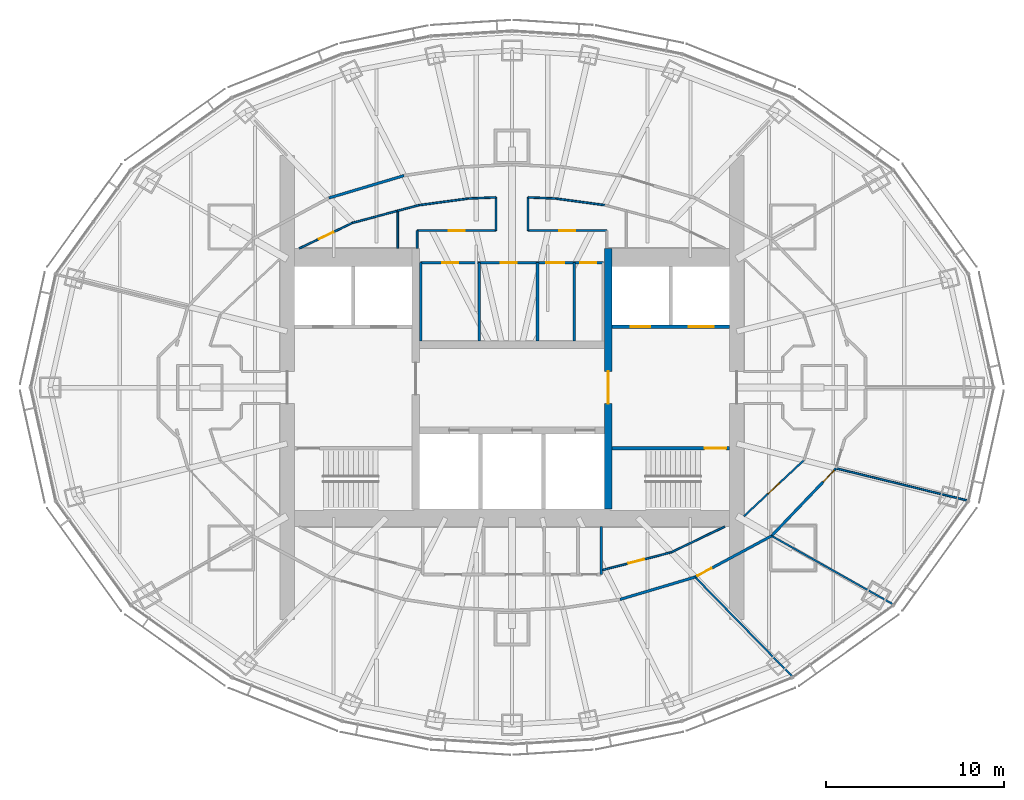
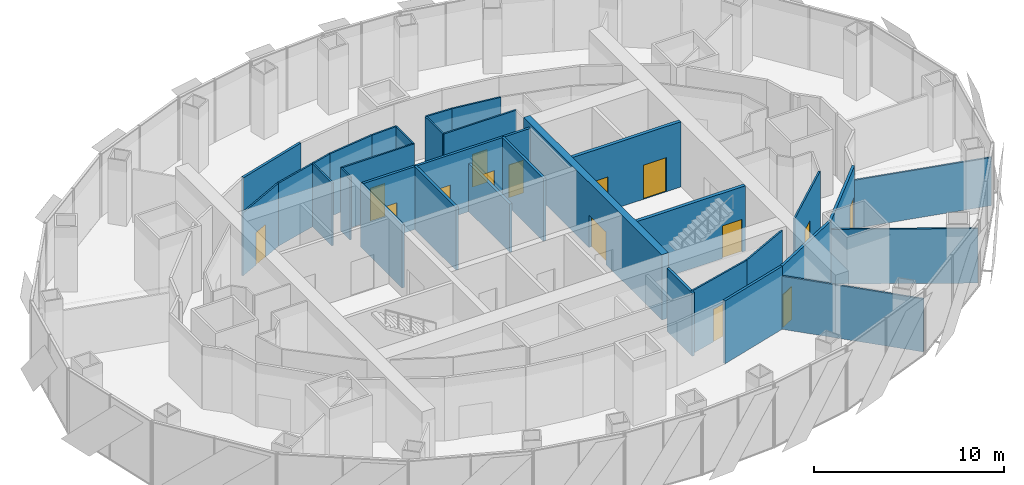
# One storey, part 13 of 17: 32 walls, 15 doors, 15 openings.
"""IFC4 building model written with IfcOpenShell, lengths in metres."""

from ifc_helpers import new_model, si_unit, direction, frame, frame_2d, origin, place, context, subcontext, project, spatial, rectangle, extrude, material, layer, layer_set, type_object, element, fill, save


model = new_model("IFC4")

# Units and contexts
model_context = context("Model", 3, precision=1e-05, world=origin(), true_north=direction((0.0, 1.0)))
body_context = subcontext(model_context, "Body", "Model", "MODEL_VIEW")
ifc_project = project(units=[si_unit("LENGTHUNIT", "METRE"), si_unit("AREAUNIT", "SQUARE_METRE"), si_unit("VOLUMEUNIT", "CUBIC_METRE"), si_unit("PLANEANGLEUNIT", "RADIAN"), si_unit("MASSUNIT", "GRAM", prefix="KILO")], contexts=[model_context])

# Site, building, storey
site_placement = place(None, origin())
site = spatial("IfcSite", under=ifc_project, at=site_placement, CompositionType="ELEMENT")
building_placement = place(site_placement, origin())
building = spatial("IfcBuilding", under=site, at=building_placement, Name="Lantaw Convention Tower", CompositionType="ELEMENT")
storey_placement = place(building_placement, frame((0.0, 0.0, 211.60009765625)))
storey = spatial("IfcBuildingStorey", under=building, at=storey_placement, Name="L49", CompositionType="ELEMENT", Elevation=211.60009765625)

# Wall, opening, door
ifc_material_1 = material(Name="Concrete C60/75", Category="concrete")
ifc_layer_1 = layer(ifc_material_1, 0.199951171875)
ifc_layer_set_1 = layer_set([ifc_layer_1], Name="Core wall 200")
wall_type_1 = type_object("IfcWallType", Name="Core wall 200", PredefinedType="SHEAR", material=ifc_layer_set_1)
wall_1_placement = place(storey_placement, frame((5.60009765625, -3.39990234375, 0.0), z_axis=(0.0, 0.0, 1.0), x_axis=(1.0, 0.0, 0.0)))
wall_1 = element("IfcWall", 1, at=wall_1_placement, inside=storey, type_object=wall_type_1, Name="Core wall ES", PredefinedType="SHEAR", context=body_context, shape_type="SweptSolid", body=[
    extrude(rectangle(XDim=6.599853515625, YDim=0.199951171875, at=frame_2d((3.2998046875, 0.0))), origin(), (0.0, 0.0, 1.0), 4.199951171875),
])
opening_1_placement = place(wall_1_placement, frame((5.199951171875, 0.0, 0.0)))
opening_1 = element("IfcOpeningElement", 2, at=opening_1_placement, cuts=wall_1, Name="Opening L49.03", PredefinedType="OPENING", context=body_context, shape_type="SweptSolid", body=[
    extrude(rectangle(XDim=1.199951171875, YDim=2.10009765625, at=frame_2d((0.60009765625, 1.050048828125))), frame((0.0, 0.10986328125, 0.0), z_axis=(0.0, -1.0, 0.0), x_axis=(1.0, 0.0, 0.0)), (0.0, 0.0, 1.0), 0.219970703125),
])
ifc_material_2 = material(Name="Steel, fire rated", Category="steel")
door_type_1 = type_object("IfcDoorType", Name="Stair door FD90", OperationType="SINGLE_SWING_RIGHT", PredefinedType="DOOR", material=ifc_material_2)
door_1_placement = place(opening_1_placement, origin())
door_1 = element("IfcDoor", 3, at=door_1_placement, inside=storey, type_object=door_type_1, Name="Exit stair door", OperationType="SINGLE_SWING_RIGHT", OverallHeight=2.10009765625, OverallWidth=1.199951171875, PredefinedType="DOOR", context=body_context, shape_type="SweptSolid", body=[
    extrude(rectangle(XDim=1.199951171875, YDim=2.10009765625, at=frame_2d((0.60009765625, 1.050048828125))), frame((0.0, 0.02490234375, 0.0), z_axis=(0.0, -1.0, 0.0), x_axis=(1.0, 0.0, 0.0)), (0.0, 0.0, 1.0), 0.050048828125),
])
fill(opening_1, door_1)

ifc_layer_2 = layer(ifc_material_1, 0.39990234375)
ifc_layer_set_2 = layer_set([ifc_layer_2], Name="Core wall 400")
wall_type_2 = type_object("IfcWallType", Name="Core wall 400", PredefinedType="SHEAR", material=ifc_layer_set_2)
wall_2_placement = place(storey_placement, frame((5.39990234375, -6.800048828125, 0.0), z_axis=(0.0, 0.0, 1.0), x_axis=(0.0, 1.0, 0.0)))
wall_2 = element("IfcWall", 4, at=wall_2_placement, inside=storey, type_object=wall_type_2, Name="Core wall XE", PredefinedType="SHEAR", context=body_context, shape_type="SweptSolid", body=[
    extrude(rectangle(XDim=14.60009765625, YDim=0.39990234375, at=frame_2d((7.300048828125, 0.0))), origin(), (0.0, 0.0, 1.0), 4.199951171875),
])
opening_2_placement = place(wall_2_placement, frame((5.89990234375, 0.0, 0.0)))
opening_2 = element("IfcOpeningElement", 5, at=opening_2_placement, cuts=wall_2, Name="Opening L49.01", PredefinedType="OPENING", context=body_context, shape_type="SweptSolid", body=[
    extrude(rectangle(XDim=1.800048828125, YDim=2.10009765625, at=frame_2d((0.89990234375, 1.050048828125))), frame((0.0, 0.2099609375, 0.0), z_axis=(0.0, -1.0, 0.0), x_axis=(1.0, 0.0, 0.0)), (0.0, 0.0, 1.0), 0.419921875),
])
door_type_2 = type_object("IfcDoorType", Name="Lobby double door FD90", OperationType="DOUBLE_DOOR_DOUBLE_SWING", PredefinedType="DOOR", material=ifc_material_2)
door_2_placement = place(opening_2_placement, origin())
door_2 = element("IfcDoor", 6, at=door_2_placement, inside=storey, type_object=door_type_2, Name="Lift lobby door", OperationType="DOUBLE_DOOR_DOUBLE_SWING", OverallHeight=2.10009765625, OverallWidth=1.800048828125, PredefinedType="DOOR", context=body_context, shape_type="SweptSolid", body=[
    extrude(rectangle(XDim=1.800048828125, YDim=2.10009765625, at=frame_2d((0.89990234375, 1.050048828125))), frame((0.0, 0.02490234375, 0.0), z_axis=(0.0, -1.0, 0.0), x_axis=(1.0, 0.0, 0.0)), (0.0, 0.0, 1.0), 0.050048828125),
])
fill(opening_2, door_2)

# Walls
ifc_material_3 = material(Name="Gypsum board on steel studs, fire rated", Category="steel")
ifc_layer_3 = layer(ifc_material_3, 0.14990234375)
ifc_layer_set_3 = layer_set([ifc_layer_3], Name="Corridor wall 150 EI 60")
wall_type_3 = type_object("IfcWallType", Name="Corridor wall 150 EI 60", PredefinedType="PARTITIONING", material=ifc_layer_set_3)
for number, where, z_axis, x_axis, name in (
    (7, (-6.05419921875, 11.88232421875, 0.0), (0.0, 0.0, 1.0), (-0.958384389306, -0.285480931648, 0.0), "Corridor wall 150"),
    (8, (6.05419921875, -11.88232421875, 0.0), (0.0, 0.0, 1.0), (0.958384389306, 0.285480931648, 0.0), "Corridor wall 150"),
):
    element("IfcWall", number, at=place(storey_placement, frame(where, z_axis=z_axis, x_axis=x_axis)), inside=storey, type_object=wall_type_3, Name=name, PredefinedType="PARTITIONING", context=body_context, shape_type="SweptSolid", body=[
        extrude(rectangle(XDim=4.392333984375, YDim=0.14990234375, at=frame_2d((2.1962890625, 0.0))), origin(), (0.0, 0.0, 1.0), 4.0498046875),
    ])

# Wall, opening, door
wall_3_placement = place(storey_placement, frame((10.263671875, -10.62841796875, 0.0), z_axis=(0.0, 0.0, 1.0), x_axis=(0.88053863253, 0.47397438393, 0.0)))
wall_3 = element("IfcWall", 9, at=wall_3_placement, inside=storey, type_object=wall_type_3, Name="Corridor wall 150", PredefinedType="PARTITIONING", context=body_context, shape_type="SweptSolid", body=[
    extrude(rectangle(XDim=4.874755859375, YDim=0.14990234375, at=frame_2d((2.4375, 0.0))), origin(), (0.0, 0.0, 1.0), 4.0498046875),
])
opening_3_placement = place(wall_3_placement, frame((0.14990234375, 0.0, 0.0)))
opening_3 = element("IfcOpeningElement", 10, at=opening_3_placement, cuts=wall_3, Name="Opening L49.36", PredefinedType="OPENING", context=body_context, shape_type="SweptSolid", body=[
    extrude(rectangle(XDim=0.89990234375, YDim=2.10009765625, at=frame_2d((0.449951171875, 1.050048828125))), frame((0.0, 0.0849609375, 0.0), z_axis=(0.0, -1.0, 0.0), x_axis=(1.0, 0.0, 0.0)), (0.0, 0.0, 1.0), 0.169921875),
])
door_type_3 = type_object("IfcDoorType", Name="Office door 900 FD30", OperationType="SINGLE_SWING_LEFT", PredefinedType="DOOR", material=ifc_material_2)
door_3_placement = place(opening_3_placement, origin())
door_3 = element("IfcDoor", 11, at=door_3_placement, inside=storey, type_object=door_type_3, Name="Pantry door", OperationType="SINGLE_SWING_LEFT", OverallHeight=2.10009765625, OverallWidth=0.89990234375, PredefinedType="DOOR", context=body_context, shape_type="SweptSolid", body=[
    extrude(rectangle(XDim=0.89990234375, YDim=2.10009765625, at=frame_2d((0.449951171875, 1.050048828125))), frame((0.0, 0.02490234375, 0.0), z_axis=(0.0, -1.0, 0.0), x_axis=(1.0, 0.0, 0.0)), (0.0, 0.0, 1.0), 0.050048828125),
])
fill(opening_3, door_3)

wall_4_placement = place(storey_placement, frame((14.55615234375, -8.31787109375, 0.0), z_axis=(0.0, 0.0, 1.0), x_axis=(0.690768413292, 0.723076067366, 0.0)))
wall_4 = element("IfcWall", 12, at=wall_4_placement, inside=storey, type_object=wall_type_3, Name="Corridor wall 150", PredefinedType="PARTITIONING", context=body_context, shape_type="SweptSolid", body=[
    extrude(rectangle(XDim=5.23681640625, YDim=0.14990234375, at=frame_2d((2.618408203125, 0.0))), origin(), (0.0, 0.0, 1.0), 4.0498046875),
])
opening_4_placement = place(wall_4_placement, frame((4.18701171875, 0.0, 0.0)))
opening_4 = element("IfcOpeningElement", 13, at=opening_4_placement, cuts=wall_4, Name="Opening L49.37", PredefinedType="OPENING", context=body_context, shape_type="SweptSolid", body=[
    extrude(rectangle(XDim=0.89990234375, YDim=2.10009765625, at=frame_2d((0.449951171875, 1.050048828125))), frame((0.0, 0.0849609375, 0.0), z_axis=(0.0, -1.0, 0.0), x_axis=(1.0, 0.0, 0.0)), (0.0, 0.0, 1.0), 0.169921875),
])
door_4_placement = place(opening_4_placement, origin())
door_4 = element("IfcDoor", 14, at=door_4_placement, inside=storey, type_object=door_type_3, Name="Meeting room door", OperationType="SINGLE_SWING_LEFT", OverallHeight=2.10009765625, OverallWidth=0.89990234375, PredefinedType="DOOR", context=body_context, shape_type="SweptSolid", body=[
    extrude(rectangle(XDim=0.89990234375, YDim=2.10009765625, at=frame_2d((0.449951171875, 1.050048828125))), frame((0.0, 0.02490234375, 0.0), z_axis=(0.0, -1.0, 0.0), x_axis=(1.0, 0.0, 0.0)), (0.0, 0.0, 1.0), 0.050048828125),
])
fill(opening_4, door_4)

# Walls
ifc_material_4 = material(Name="Gypsum board on steel studs, acoustic", Category="steel")
ifc_layer_4 = layer(ifc_material_4, 0.10009765625)
ifc_layer_set_4 = layer_set([ifc_layer_4], Name="Office partition 100")
wall_type_4 = type_object("IfcWallType", Name="Office partition 100", PredefinedType="PARTITIONING", material=ifc_layer_set_4)
wall_5_placement = place(storey_placement, frame((15.709228515625, -16.19873046875, 0.0), z_axis=(0.0, 0.0, 1.0), x_axis=(-0.699053895446, 0.715068983569, 0.0)))
element("IfcWall", 15, at=wall_5_placement, inside=storey, type_object=wall_type_4, Name="Office partition 100", PredefinedType="PARTITIONING", context=body_context, shape_type="SweptSolid", body=[
    extrude(rectangle(XDim=7.789794921875, YDim=0.10009765625, at=frame_2d((3.89501953125, 0.0))), origin(), (0.0, 0.0, 1.0), 3.409912109375),
])
wall_6_placement = place(storey_placement, frame((21.3583984375, -12.149658203125, 0.0), z_axis=(0.0, 0.0, 1.0), x_axis=(-0.871273053995, 0.490798599614, 0.0)))
element("IfcWall", 16, at=wall_6_placement, inside=storey, type_object=wall_type_4, Name="Office partition 100", PredefinedType="PARTITIONING", context=body_context, shape_type="SweptSolid", body=[
    extrude(rectangle(XDim=7.80712890625, YDim=0.10009765625, at=frame_2d((3.903564453125, 0.0))), origin(), (0.0, 0.0, 1.0), 3.521484375),
])
wall_7_placement = place(storey_placement, frame((25.542724609375, -6.335693359375, 0.0), z_axis=(0.0, 0.0, 1.0), x_axis=(-0.97130474594, 0.237838370569, 0.0)))
element("IfcWall", 17, at=wall_7_placement, inside=storey, type_object=wall_type_4, Name="Office partition 100", PredefinedType="PARTITIONING", context=body_context, shape_type="SweptSolid", body=[
    extrude(rectangle(XDim=7.5869140625, YDim=0.10009765625, at=frame_2d((3.79345703125, 0.0))), origin(), (0.0, 0.0, 1.0), 3.107666015625),
])
wall_8_placement = place(storey_placement, frame((11.925537109375, -7.800048828125, 0.0), z_axis=(0.0, 0.0, 1.0), x_axis=(-0.901553947207, -0.432666708073, 0.0)))
element("IfcWall", 18, at=wall_8_placement, inside=storey, type_object=wall_type_4, Name="Office partition 100", PredefinedType="PARTITIONING", context=body_context, shape_type="SweptSolid", body=[
    extrude(rectangle(XDim=3.329833984375, YDim=0.10009765625, at=frame_2d((1.6650390625, 0.0))), origin(), (0.0, 0.0, 1.0), 4.0498046875),
])

# Wall, opening, door
wall_9_placement = place(storey_placement, frame((8.923583984375, -9.24072265625, 0.0), z_axis=(0.0, 0.0, 1.0), x_axis=(-0.968224167198, -0.250083910027, 0.0)))
wall_9 = element("IfcWall", 19, at=wall_9_placement, inside=storey, type_object=wall_type_4, Name="Office partition 100", PredefinedType="PARTITIONING", context=body_context, shape_type="SweptSolid", body=[
    extrude(rectangle(XDim=4.05224609375, YDim=0.10009765625, at=frame_2d((2.026123046875, 0.0))), origin(), (0.0, 0.0, 1.0), 4.0498046875),
])
opening_5_placement = place(wall_9_placement, frame((1.576171875, 0.0, 0.0)))
opening_5 = element("IfcOpeningElement", 20, at=opening_5_placement, cuts=wall_9, Name="Opening L49.24", PredefinedType="OPENING", context=body_context, shape_type="SweptSolid", body=[
    extrude(rectangle(XDim=0.89990234375, YDim=2.10009765625, at=frame_2d((0.449951171875, 1.050048828125))), frame((0.0, 0.06005859375, 0.0), z_axis=(0.0, -1.0, 0.0), x_axis=(1.0, 0.0, 0.0)), (0.0, 0.0, 1.0), 0.1201171875),
])
ifc_material_5 = material(Name="Timber", Category="wood")
door_type_4 = type_object("IfcDoorType", Name="Office door 900", OperationType="SINGLE_SWING_LEFT", PredefinedType="DOOR", material=ifc_material_5)
door_5_placement = place(opening_5_placement, origin())
door_5 = element("IfcDoor", 21, at=door_5_placement, inside=storey, type_object=door_type_4, Name="Tenant storage room door", OperationType="SINGLE_SWING_LEFT", OverallHeight=2.10009765625, OverallWidth=0.89990234375, PredefinedType="DOOR", context=body_context, shape_type="SweptSolid", body=[
    extrude(rectangle(XDim=0.89990234375, YDim=2.10009765625, at=frame_2d((0.449951171875, 1.050048828125))), frame((0.0, 0.02490234375, 0.0), z_axis=(0.0, -1.0, 0.0), x_axis=(1.0, 0.0, 0.0)), (0.0, 0.0, 1.0), 0.050048828125),
])
fill(opening_5, door_5)

wall_10_placement = place(storey_placement, frame((16.36279296875, -4.079833984375, 0.0), z_axis=(0.0, 0.0, 1.0), x_axis=(-0.730651186567, -0.682750938167, 0.0)))
wall_10 = element("IfcWall", 22, at=wall_10_placement, inside=storey, type_object=wall_type_4, Name="Office partition 100", PredefinedType="PARTITIONING", context=body_context, shape_type="SweptSolid", body=[
    extrude(rectangle(XDim=4.6025390625, YDim=0.10009765625, at=frame_2d((2.30126953125, 0.0))), origin(), (0.0, 0.0, 1.0), 4.0498046875),
])
opening_6_placement = place(wall_10_placement, frame((1.851318359375, 0.0, 0.0)))
opening_6 = element("IfcOpeningElement", 23, at=opening_6_placement, cuts=wall_10, Name="Opening L49.25", PredefinedType="OPENING", context=body_context, shape_type="SweptSolid", body=[
    extrude(rectangle(XDim=0.89990234375, YDim=2.10009765625, at=frame_2d((0.449951171875, 1.050048828125))), frame((0.0, 0.06005859375, 0.0), z_axis=(0.0, -1.0, 0.0), x_axis=(1.0, 0.0, 0.0)), (0.0, 0.0, 1.0), 0.1201171875),
])
door_6_placement = place(opening_6_placement, origin())
door_6 = element("IfcDoor", 24, at=door_6_placement, inside=storey, type_object=door_type_4, Name="Meeting room door", OperationType="SINGLE_SWING_LEFT", OverallHeight=2.10009765625, OverallWidth=0.89990234375, PredefinedType="DOOR", context=body_context, shape_type="SweptSolid", body=[
    extrude(rectangle(XDim=0.89990234375, YDim=2.10009765625, at=frame_2d((0.449951171875, 1.050048828125))), frame((0.0, 0.02490234375, 0.0), z_axis=(0.0, -1.0, 0.0), x_axis=(1.0, 0.0, 0.0)), (0.0, 0.0, 1.0), 0.050048828125),
])
fill(opening_6, door_6)

wall_11_placement = place(storey_placement, frame((5.320068359375, 8.800048828125, 0.0), z_axis=(0.0, 0.0, 1.0), x_axis=(-1.0, 0.0, 0.0)))
wall_11 = element("IfcWall", 25, at=wall_11_placement, inside=storey, type_object=wall_type_4, Name="Office partition 100", PredefinedType="PARTITIONING", context=body_context, shape_type="SweptSolid", body=[
    extrude(rectangle(XDim=4.420166015625, YDim=0.10009765625, at=frame_2d((2.2099609375, 0.0))), origin(), (0.0, 0.0, 1.0), 4.0498046875),
])
opening_7_placement = place(wall_11_placement, frame((1.760009765625, 0.0, 0.0)))
opening_7 = element("IfcOpeningElement", 26, at=opening_7_placement, cuts=wall_11, Name="Opening L49.27", PredefinedType="OPENING", context=body_context, shape_type="SweptSolid", body=[
    extrude(rectangle(XDim=0.89990234375, YDim=2.10009765625, at=frame_2d((0.449951171875, 1.050048828125))), frame((0.0, 0.06005859375, 0.0), z_axis=(0.0, -1.0, 0.0), x_axis=(1.0, 0.0, 0.0)), (0.0, 0.0, 1.0), 0.1201171875),
])
door_7_placement = place(opening_7_placement, origin())
door_7 = element("IfcDoor", 27, at=door_7_placement, inside=storey, type_object=door_type_4, Name="Project room door", OperationType="SINGLE_SWING_LEFT", OverallHeight=2.10009765625, OverallWidth=0.89990234375, PredefinedType="DOOR", context=body_context, shape_type="SweptSolid", body=[
    extrude(rectangle(XDim=0.89990234375, YDim=2.10009765625, at=frame_2d((0.449951171875, 1.050048828125))), frame((0.0, 0.02490234375, 0.0), z_axis=(0.0, -1.0, 0.0), x_axis=(1.0, 0.0, 0.0)), (0.0, 0.0, 1.0), 0.050048828125),
])
fill(opening_7, door_7)

# Walls
wall_12_placement = place(storey_placement, frame((0.89990234375, 8.800048828125, 0.0), z_axis=(0.0, 0.0, 1.0), x_axis=(0.0, 1.0, 0.0)))
element("IfcWall", 28, at=wall_12_placement, inside=storey, type_object=wall_type_4, Name="Office partition 100", PredefinedType="PARTITIONING", context=body_context, shape_type="SweptSolid", body=[
    extrude(rectangle(XDim=1.862060546875, YDim=0.10009765625, at=frame_2d((0.93115234375, 0.0))), origin(), (0.0, 0.0, 1.0), 4.0498046875),
])
wall_13_placement = place(storey_placement, frame((0.89990234375, 10.662109375, 0.0), z_axis=(0.0, 0.0, 1.0), x_axis=(0.999119627976, -0.041951984379, 0.0)))
element("IfcWall", 29, at=wall_13_placement, inside=storey, type_object=wall_type_4, Name="Office partition 100", PredefinedType="PARTITIONING", context=body_context, shape_type="SweptSolid", body=[
    extrude(rectangle(XDim=1.548095703125, YDim=0.10009765625, at=frame_2d((0.77392578125, 0.0))), origin(), (0.0, 0.0, 1.0), 4.0498046875),
])
wall_14_placement = place(storey_placement, frame((2.446533203125, 10.59716796875, 0.0), z_axis=(0.0, 0.0, 1.0), x_axis=(0.991095131259, -0.13315570132, 0.0)))
element("IfcWall", 30, at=wall_14_placement, inside=storey, type_object=wall_type_4, Name="Office partition 100", PredefinedType="PARTITIONING", context=body_context, shape_type="SweptSolid", body=[
    extrude(rectangle(XDim=2.788818359375, YDim=0.10009765625, at=frame_2d((1.39453125, 0.0))), origin(), (0.0, 0.0, 1.0), 4.0498046875),
])
wall_15_placement = place(storey_placement, frame((-8.923583984375, 9.24072265625, 0.0), z_axis=(0.0, 0.0, 1.0), x_axis=(0.966575327783, 0.256382791392, 0.0)))
element("IfcWall", 31, at=wall_15_placement, inside=storey, type_object=wall_type_4, Name="Office partition 100", PredefinedType="PARTITIONING", context=body_context, shape_type="SweptSolid", body=[
    extrude(rectangle(XDim=2.6005859375, YDim=0.10009765625, at=frame_2d((1.30029296875, 0.0))), origin(), (0.0, 0.0, 1.0), 4.0498046875),
])
wall_16_placement = place(storey_placement, frame((-6.409912109375, 9.907470703125, 0.0), z_axis=(0.0, 0.0, 1.0), x_axis=(0.0, -1.0, 0.0)))
element("IfcWall", 32, at=wall_16_placement, inside=storey, type_object=wall_type_4, Name="Office partition 100", PredefinedType="PARTITIONING", context=body_context, shape_type="SweptSolid", body=[
    extrude(rectangle(XDim=2.107421875, YDim=0.10009765625, at=frame_2d((1.0537109375, 0.0))), origin(), (0.0, 0.0, 1.0), 4.0498046875),
])

# Wall, opening, door
wall_17_placement = place(storey_placement, frame((-11.925537109375, 7.800048828125, 0.0), z_axis=(0.0, 0.0, 1.0), x_axis=(0.901553947207, 0.432666708073, 0.0)))
wall_17 = element("IfcWall", 33, at=wall_17_placement, inside=storey, type_object=wall_type_4, Name="Office partition 100", PredefinedType="PARTITIONING", context=body_context, shape_type="SweptSolid", body=[
    extrude(rectangle(XDim=3.329833984375, YDim=0.10009765625, at=frame_2d((1.6650390625, 0.0))), origin(), (0.0, 0.0, 1.0), 4.0498046875),
])
opening_8_placement = place(wall_17_placement, frame((1.21484375, 0.0, 0.0)))
opening_8 = element("IfcOpeningElement", 34, at=opening_8_placement, cuts=wall_17, Name="Opening L49.29", PredefinedType="OPENING", context=body_context, shape_type="SweptSolid", body=[
    extrude(rectangle(XDim=0.89990234375, YDim=2.10009765625, at=frame_2d((0.449951171875, 1.050048828125))), frame((0.0, 0.06005859375, 0.0), z_axis=(0.0, -1.0, 0.0), x_axis=(1.0, 0.0, 0.0)), (0.0, 0.0, 1.0), 0.1201171875),
])
door_8_placement = place(opening_8_placement, origin())
door_8 = element("IfcDoor", 35, at=door_8_placement, inside=storey, type_object=door_type_4, Name="Comms room door", OperationType="SINGLE_SWING_LEFT", OverallHeight=2.10009765625, OverallWidth=0.89990234375, PredefinedType="DOOR", context=body_context, shape_type="SweptSolid", body=[
    extrude(rectangle(XDim=0.89990234375, YDim=2.10009765625, at=frame_2d((0.449951171875, 1.050048828125))), frame((0.0, 0.02490234375, 0.0), z_axis=(0.0, -1.0, 0.0), x_axis=(1.0, 0.0, 0.0)), (0.0, 0.0, 1.0), 0.050048828125),
])
fill(opening_8, door_8)

# Walls
wall_18_placement = place(storey_placement, frame((-5.21044921875, 10.225830078125, 0.0), z_axis=(0.0, 0.0, 1.0), x_axis=(0.991095131259, 0.13315570132, 0.0)))
element("IfcWall", 36, at=wall_18_placement, inside=storey, type_object=wall_type_4, Name="Office partition 100", PredefinedType="PARTITIONING", context=body_context, shape_type="SweptSolid", body=[
    extrude(rectangle(XDim=2.788818359375, YDim=0.10009765625, at=frame_2d((1.39453125, 0.0))), origin(), (0.0, 0.0, 1.0), 4.0498046875),
])
wall_19_placement = place(storey_placement, frame((-2.446533203125, 10.59716796875, 0.0), z_axis=(0.0, 0.0, 1.0), x_axis=(0.999119627976, 0.041951984379, 0.0)))
element("IfcWall", 37, at=wall_19_placement, inside=storey, type_object=wall_type_4, Name="Office partition 100", PredefinedType="PARTITIONING", context=body_context, shape_type="SweptSolid", body=[
    extrude(rectangle(XDim=1.548095703125, YDim=0.10009765625, at=frame_2d((0.77392578125, 0.0))), origin(), (0.0, 0.0, 1.0), 4.0498046875),
])
wall_20_placement = place(storey_placement, frame((-0.89990234375, 10.662109375, 0.0), z_axis=(0.0, 0.0, 1.0), x_axis=(0.0, -1.0, 0.0)))
element("IfcWall", 38, at=wall_20_placement, inside=storey, type_object=wall_type_4, Name="Office partition 100", PredefinedType="PARTITIONING", context=body_context, shape_type="SweptSolid", body=[
    extrude(rectangle(XDim=1.862060546875, YDim=0.10009765625, at=frame_2d((0.93115234375, 0.0))), origin(), (0.0, 0.0, 1.0), 4.0498046875),
])

# Wall, opening, door
wall_21_placement = place(storey_placement, frame((-0.89990234375, 8.800048828125, 0.0), z_axis=(0.0, 0.0, 1.0), x_axis=(-1.0, 0.0, 0.0)))
wall_21 = element("IfcWall", 39, at=wall_21_placement, inside=storey, type_object=wall_type_4, Name="Office partition 100", PredefinedType="PARTITIONING", context=body_context, shape_type="SweptSolid", body=[
    extrude(rectangle(XDim=4.420166015625, YDim=0.10009765625, at=frame_2d((2.2099609375, 0.0))), origin(), (0.0, 0.0, 1.0), 4.0498046875),
])
opening_9_placement = place(wall_21_placement, frame((1.760009765625, 0.0, 0.0)))
opening_9 = element("IfcOpeningElement", 40, at=opening_9_placement, cuts=wall_21, Name="Opening L49.30", PredefinedType="OPENING", context=body_context, shape_type="SweptSolid", body=[
    extrude(rectangle(XDim=0.89990234375, YDim=2.10009765625, at=frame_2d((0.449951171875, 1.050048828125))), frame((0.0, 0.06005859375, 0.0), z_axis=(0.0, -1.0, 0.0), x_axis=(1.0, 0.0, 0.0)), (0.0, 0.0, 1.0), 0.1201171875),
])
door_9_placement = place(opening_9_placement, origin())
door_9 = element("IfcDoor", 41, at=door_9_placement, inside=storey, type_object=door_type_4, Name="Meeting room door", OperationType="SINGLE_SWING_LEFT", OverallHeight=2.10009765625, OverallWidth=0.89990234375, PredefinedType="DOOR", context=body_context, shape_type="SweptSolid", body=[
    extrude(rectangle(XDim=0.89990234375, YDim=2.10009765625, at=frame_2d((0.449951171875, 1.050048828125))), frame((0.0, 0.02490234375, 0.0), z_axis=(0.0, -1.0, 0.0), x_axis=(1.0, 0.0, 0.0)), (0.0, 0.0, 1.0), 0.050048828125),
])
fill(opening_9, door_9)

# Walls
wall_22_placement = place(storey_placement, frame((-5.320068359375, 8.800048828125, 0.0), z_axis=(0.0, 0.0, 1.0), x_axis=(0.0, -1.0, 0.0)))
element("IfcWall", 42, at=wall_22_placement, inside=storey, type_object=wall_type_4, Name="Office partition 100", PredefinedType="PARTITIONING", context=body_context, shape_type="SweptSolid", body=[
    extrude(rectangle(XDim=1.0, YDim=0.10009765625, at=frame_2d((0.5, 0.0))), origin(), (0.0, 0.0, 1.0), 4.0498046875),
])
wall_23_placement = place(storey_placement, frame((-6.409912109375, 9.907470703125, 0.0), z_axis=(0.0, 0.0, 1.0), x_axis=(0.966534683979, 0.256535971486, 0.0)))
element("IfcWall", 43, at=wall_23_placement, inside=storey, type_object=wall_type_4, Name="Office partition 100", PredefinedType="PARTITIONING", context=body_context, shape_type="SweptSolid", body=[
    extrude(rectangle(XDim=1.240966796875, YDim=0.10009765625, at=frame_2d((0.62060546875, 0.0))), origin(), (0.0, 0.0, 1.0), 4.0498046875),
])

# Wall, openings, doors
ifc_material_6 = material(Name="Concrete blockwork, fire rated", Category="masonry")
ifc_layer_5 = layer(ifc_material_6, 0.199951171875)
ifc_layer_set_5 = layer_set([ifc_layer_5], Name="Shaft wall 200")
wall_type_5 = type_object("IfcWallType", Name="Shaft wall 200", PredefinedType="SOLIDWALL", material=ifc_layer_set_5)
wall_24_placement = place(storey_placement, frame((12.199951171875, 3.39990234375, 0.0), z_axis=(0.0, 0.0, 1.0), x_axis=(-1.0, 0.0, 0.0)))
wall_24 = element("IfcWall", 44, at=wall_24_placement, inside=storey, type_object=wall_type_5, Name="Shaft wall EN", PredefinedType="SOLIDWALL", context=body_context, shape_type="SweptSolid", body=[
    extrude(rectangle(XDim=6.599853515625, YDim=0.199951171875, at=frame_2d((3.2998046875, 0.0))), origin(), (0.0, 0.0, 1.0), 4.199951171875),
])
opening_10_placement = place(wall_24_placement, frame((4.449951171875, 0.0, 0.0)))
opening_10 = element("IfcOpeningElement", 45, at=opening_10_placement, cuts=wall_24, Name="Opening L49.12", PredefinedType="OPENING", context=body_context, shape_type="SweptSolid", body=[
    extrude(rectangle(XDim=1.10009765625, YDim=2.199951171875, at=frame_2d((0.550048828125, 1.10009765625))), frame((0.0, 0.10986328125, 0.0), z_axis=(0.0, -1.0, 0.0), x_axis=(1.0, 0.0, 0.0)), (0.0, 0.0, 1.0), 0.219970703125),
])
opening_11_placement = place(wall_24_placement, frame((0.89990234375, 0.0, 0.0)))
opening_11 = element("IfcOpeningElement", 46, at=opening_11_placement, cuts=wall_24, Name="Opening L49.13", PredefinedType="OPENING", context=body_context, shape_type="SweptSolid", body=[
    extrude(rectangle(XDim=1.39990234375, YDim=2.199951171875, at=frame_2d((0.699951171875, 1.10009765625))), frame((0.0, 0.10986328125, 0.0), z_axis=(0.0, -1.0, 0.0), x_axis=(1.0, 0.0, 0.0)), (0.0, 0.0, 1.0), 0.219970703125),
])
ifc_material_7 = material(Name="Stainless steel", Category="steel")
door_type_5 = type_object("IfcDoorType", Name="Lift landing door 1100", OperationType="DOUBLE_DOOR_SLIDING", PredefinedType="DOOR", material=ifc_material_7)
door_10_placement = place(opening_10_placement, origin())
door_10 = element("IfcDoor", 47, at=door_10_placement, inside=storey, type_object=door_type_5, Name="Lift landing door FF2", OperationType="DOUBLE_DOOR_SLIDING", OverallHeight=2.199951171875, OverallWidth=1.10009765625, PredefinedType="DOOR", context=body_context, shape_type="SweptSolid", body=[
    extrude(rectangle(XDim=1.10009765625, YDim=2.199951171875, at=frame_2d((0.550048828125, 1.10009765625))), frame((0.0, 0.02490234375, 0.0), z_axis=(0.0, -1.0, 0.0), x_axis=(1.0, 0.0, 0.0)), (0.0, 0.0, 1.0), 0.050048828125),
])
fill(opening_10, door_10)
door_type_6 = type_object("IfcDoorType", Name="Lift landing door 1400", OperationType="DOUBLE_DOOR_SLIDING", PredefinedType="DOOR", material=ifc_material_7)
door_11_placement = place(opening_11_placement, origin())
door_11 = element("IfcDoor", 48, at=door_11_placement, inside=storey, type_object=door_type_6, Name="Lift landing door SV2", OperationType="DOUBLE_DOOR_SLIDING", OverallHeight=2.199951171875, OverallWidth=1.39990234375, PredefinedType="DOOR", context=body_context, shape_type="SweptSolid", body=[
    extrude(rectangle(XDim=1.39990234375, YDim=2.199951171875, at=frame_2d((0.699951171875, 1.10009765625))), frame((0.0, 0.02490234375, 0.0), z_axis=(0.0, -1.0, 0.0), x_axis=(1.0, 0.0, 0.0)), (0.0, 0.0, 1.0), 0.050048828125),
])
fill(opening_11, door_11)

ifc_material_8 = material(Name="Concrete blockwork", Category="masonry")
ifc_layer_6 = layer(ifc_material_8, 0.14990234375)
ifc_layer_set_6 = layer_set([ifc_layer_6], Name="WC wall 150")
wall_type_6 = type_object("IfcWallType", Name="WC wall 150", PredefinedType="SOLIDWALL", material=ifc_layer_set_6)
wall_25_placement = place(storey_placement, frame((-5.1201171875, 7.0, 0.0), z_axis=(0.0, 0.0, 1.0), x_axis=(1.0, 0.0, 0.0)))
wall_25 = element("IfcWall", 49, at=wall_25_placement, inside=storey, type_object=wall_type_6, Name="WC wall 150", PredefinedType="SOLIDWALL", context=body_context, shape_type="SweptSolid", body=[
    extrude(rectangle(XDim=10.240234375, YDim=0.14990234375, at=frame_2d((5.1201171875, 0.0))), origin(), (0.0, 0.0, 1.0), 4.0498046875),
])
opening_12_placement = place(wall_25_placement, frame((1.199951171875, 0.0, 0.0)))
opening_12 = element("IfcOpeningElement", 50, at=opening_12_placement, cuts=wall_25, Name="Opening L49.14", PredefinedType="OPENING", context=body_context, shape_type="SweptSolid", body=[
    extrude(rectangle(XDim=0.89990234375, YDim=2.10009765625, at=frame_2d((0.449951171875, 1.050048828125))), frame((0.0, 0.0849609375, 0.0), z_axis=(0.0, -1.0, 0.0), x_axis=(1.0, 0.0, 0.0)), (0.0, 0.0, 1.0), 0.169921875),
])
opening_13_placement = place(wall_25_placement, frame((4.476806640625, 0.0, 0.0)))
opening_13 = element("IfcOpeningElement", 51, at=opening_13_placement, cuts=wall_25, Name="Opening L49.15", PredefinedType="OPENING", context=body_context, shape_type="SweptSolid", body=[
    extrude(rectangle(XDim=0.89990234375, YDim=2.10009765625, at=frame_2d((0.449951171875, 1.050048828125))), frame((0.0, 0.0849609375, 0.0), z_axis=(0.0, -1.0, 0.0), x_axis=(1.0, 0.0, 0.0)), (0.0, 0.0, 1.0), 0.169921875),
])
opening_14_placement = place(wall_25_placement, frame((7.0537109375, 0.0, 0.0)))
opening_14 = element("IfcOpeningElement", 52, at=opening_14_placement, cuts=wall_25, Name="Opening L49.16", PredefinedType="OPENING", context=body_context, shape_type="SweptSolid", body=[
    extrude(rectangle(XDim=1.0, YDim=2.10009765625, at=frame_2d((0.5, 1.050048828125))), frame((0.0, 0.0849609375, 0.0), z_axis=(0.0, -1.0, 0.0), x_axis=(1.0, 0.0, 0.0)), (0.0, 0.0, 1.0), 0.169921875),
])
opening_15_placement = place(wall_25_placement, frame((8.95166015625, 0.0, 0.0)))
opening_15 = element("IfcOpeningElement", 53, at=opening_15_placement, cuts=wall_25, Name="Opening L49.17", PredefinedType="OPENING", context=body_context, shape_type="SweptSolid", body=[
    extrude(rectangle(XDim=0.89990234375, YDim=2.10009765625, at=frame_2d((0.449951171875, 1.050048828125))), frame((0.0, 0.0849609375, 0.0), z_axis=(0.0, -1.0, 0.0), x_axis=(1.0, 0.0, 0.0)), (0.0, 0.0, 1.0), 0.169921875),
])
door_type_7 = type_object("IfcDoorType", Name="Accessible WC door 1000", OperationType="SINGLE_SWING_LEFT", PredefinedType="DOOR", material=ifc_material_5)
door_12_placement = place(opening_14_placement, origin())
door_12 = element("IfcDoor", 54, at=door_12_placement, inside=storey, type_object=door_type_7, Name="Accessible WC door", OperationType="SINGLE_SWING_LEFT", OverallHeight=2.10009765625, OverallWidth=1.0, PredefinedType="DOOR", context=body_context, shape_type="SweptSolid", body=[
    extrude(rectangle(XDim=1.0, YDim=2.10009765625, at=frame_2d((0.5, 1.050048828125))), frame((0.0, 0.02490234375, 0.0), z_axis=(0.0, -1.0, 0.0), x_axis=(1.0, 0.0, 0.0)), (0.0, 0.0, 1.0), 0.050048828125),
])
fill(opening_14, door_12)
door_type_8 = type_object("IfcDoorType", Name="WC door 900", OperationType="SINGLE_SWING_LEFT", PredefinedType="DOOR", material=ifc_material_5)
door_13_placement = place(opening_12_placement, origin())
door_13 = element("IfcDoor", 55, at=door_13_placement, inside=storey, type_object=door_type_8, Name="Female WC door", OperationType="SINGLE_SWING_LEFT", OverallHeight=2.10009765625, OverallWidth=0.89990234375, PredefinedType="DOOR", context=body_context, shape_type="SweptSolid", body=[
    extrude(rectangle(XDim=0.89990234375, YDim=2.10009765625, at=frame_2d((0.449951171875, 1.050048828125))), frame((0.0, 0.02490234375, 0.0), z_axis=(0.0, -1.0, 0.0), x_axis=(1.0, 0.0, 0.0)), (0.0, 0.0, 1.0), 0.050048828125),
])
fill(opening_12, door_13)
door_14_placement = place(opening_13_placement, origin())
door_14 = element("IfcDoor", 56, at=door_14_placement, inside=storey, type_object=door_type_8, Name="Male WC door", OperationType="SINGLE_SWING_LEFT", OverallHeight=2.10009765625, OverallWidth=0.89990234375, PredefinedType="DOOR", context=body_context, shape_type="SweptSolid", body=[
    extrude(rectangle(XDim=0.89990234375, YDim=2.10009765625, at=frame_2d((0.449951171875, 1.050048828125))), frame((0.0, 0.02490234375, 0.0), z_axis=(0.0, -1.0, 0.0), x_axis=(1.0, 0.0, 0.0)), (0.0, 0.0, 1.0), 0.050048828125),
])
fill(opening_13, door_14)
door_15_placement = place(opening_15_placement, origin())
door_15 = element("IfcDoor", 57, at=door_15_placement, inside=storey, type_object=door_type_8, Name="Cleaner's store door", OperationType="SINGLE_SWING_LEFT", OverallHeight=2.10009765625, OverallWidth=0.89990234375, PredefinedType="DOOR", context=body_context, shape_type="SweptSolid", body=[
    extrude(rectangle(XDim=0.89990234375, YDim=2.10009765625, at=frame_2d((0.449951171875, 1.050048828125))), frame((0.0, 0.02490234375, 0.0), z_axis=(0.0, -1.0, 0.0), x_axis=(1.0, 0.0, 0.0)), (0.0, 0.0, 1.0), 0.050048828125),
])
fill(opening_15, door_15)

# Walls
for number, where, z_axis, x_axis, name in (
    (58, (-5.1201171875, 2.60009765625, 0.0), (0.0, 0.0, 1.0), (0.0, 1.0, 0.0), "WC wall 150"),
    (59, (-1.84326171875, 2.60009765625, 0.0), (0.0, 0.0, 1.0), (0.0, 1.0, 0.0), "WC wall 150"),
):
    element("IfcWall", number, at=place(storey_placement, frame(where, z_axis=z_axis, x_axis=x_axis)), inside=storey, type_object=wall_type_6, Name=name, PredefinedType="SOLIDWALL", context=body_context, shape_type="SweptSolid", body=[
        extrude(rectangle(XDim=4.39990234375, YDim=0.14990234375, at=frame_2d((2.199951171875, 0.0))), origin(), (0.0, 0.0, 1.0), 4.0498046875),
    ])
wall_26_placement = place(storey_placement, frame((1.43359375, 2.60009765625, 0.0), z_axis=(0.0, 0.0, 1.0), x_axis=(0.0, 1.0, 0.0)))
element("IfcWall", 60, at=wall_26_placement, inside=storey, type_object=wall_type_6, Name="WC wall 150", PredefinedType="SOLIDWALL", context=body_context, shape_type="SweptSolid", body=[
    extrude(rectangle(XDim=4.39990234375, YDim=0.14990234375, at=frame_2d((2.199951171875, 0.0))), origin(), (0.0, 0.0, 1.0), 3.107666015625),
])
wall_27_placement = place(storey_placement, frame((3.481689453125, 2.60009765625, 0.0), z_axis=(0.0, 0.0, 1.0), x_axis=(0.0, 1.0, 0.0)))
element("IfcWall", 61, at=wall_27_placement, inside=storey, type_object=wall_type_6, Name="WC wall 150", PredefinedType="SOLIDWALL", context=body_context, shape_type="SweptSolid", body=[
    extrude(rectangle(XDim=4.39990234375, YDim=0.14990234375, at=frame_2d((2.199951171875, 0.0))), origin(), (0.0, 0.0, 1.0), 4.0498046875),
])
wall_28_placement = place(storey_placement, frame((5.0, -7.800048828125, 0.0), z_axis=(0.0, 0.0, 1.0), x_axis=(0.0, -1.0, 0.0)))
element("IfcWall", 62, at=wall_28_placement, inside=storey, type_object=wall_type_6, Name="WC wall 150", PredefinedType="SOLIDWALL", context=body_context, shape_type="SweptSolid", body=[
    extrude(rectangle(XDim=2.681884765625, YDim=0.14990234375, at=frame_2d((1.3408203125, 0.0))), origin(), (0.0, 0.0, 1.0), 4.0498046875),
])

save(model, "model.ifc")
